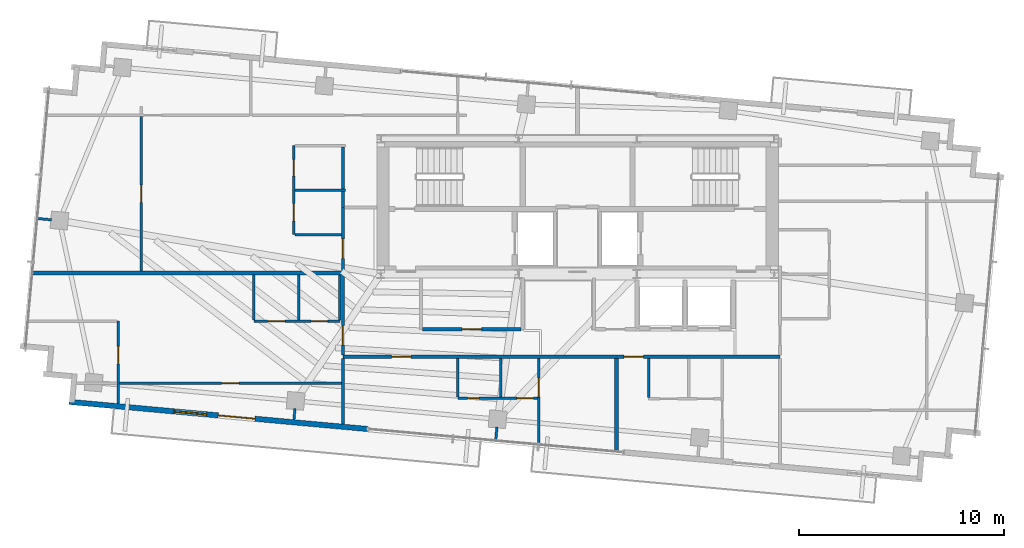
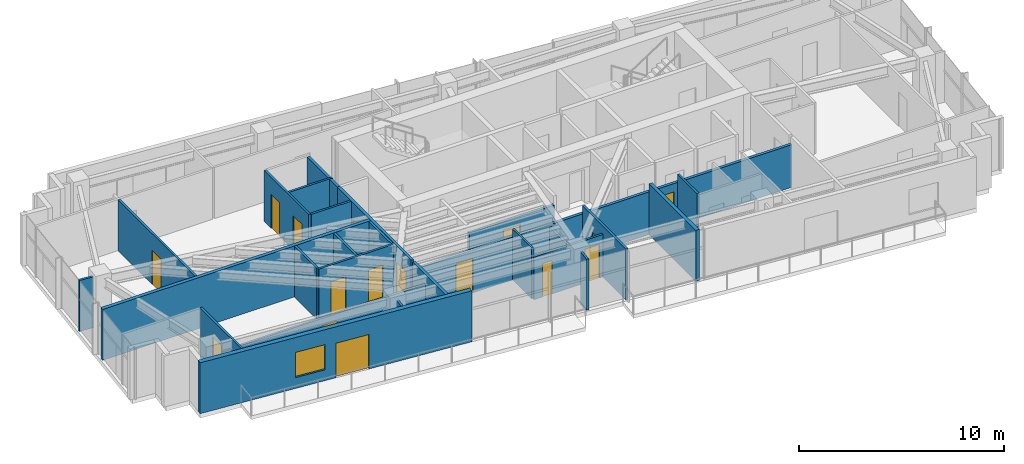
# One storey, part 16 of 22: 27 walls, 16 doors, 1 window, 17 openings.
"""IFC4 building model written with IfcOpenShell, lengths in metres."""

from ifc_helpers import new_model, si_unit, direction, frame, frame_2d, origin, place, context, subcontext, project, spatial, rectangle, extrude, source, transform, mapped, material, layer, layer_set, type_object, type_shapes, element, fill, save


model = new_model("IFC4")

# Units and contexts
model_context = context("Model", 3, precision=1e-05, world=origin(), true_north=direction((0.0, 1.0)))
body_context = subcontext(model_context, "Body", "Model", "MODEL_VIEW")
ifc_project = project(units=[si_unit("LENGTHUNIT", "METRE"), si_unit("AREAUNIT", "SQUARE_METRE"), si_unit("VOLUMEUNIT", "CUBIC_METRE"), si_unit("PLANEANGLEUNIT", "RADIAN"), si_unit("MASSUNIT", "GRAM", prefix="KILO")], contexts=[model_context])

# Site, building, storey
site_placement = place(None, origin())
site = spatial("IfcSite", under=ifc_project, at=site_placement, CompositionType="ELEMENT")
building_placement = place(site_placement, origin())
building = spatial("IfcBuilding", under=site, at=building_placement, Name="Astriad Promenade Condominiums", CompositionType="ELEMENT")
storey_placement = place(building_placement, frame((0.0, 0.0, 229.800048828125)))
storey = spatial("IfcBuildingStorey", under=building, at=storey_placement, Name="L66", CompositionType="ELEMENT", Elevation=229.800048828125)

# Wall, openings, doors
ifc_material_1 = material(Name="Fire-Rated Gypsum Partition")
ifc_layer_1 = layer(ifc_material_1, 0.159912109375)
ifc_layer_set_1 = layer_set([ifc_layer_1], Name="Fire-Rated Gypsum Partition")
wall_type_1 = type_object("IfcWallType", Name="WALL-CORR-160", PredefinedType="PARTITIONING", material=ifc_layer_set_1)
wall_1_placement = place(storey_placement, frame((24.550048828125, 13.360107421875, 0.0), z_axis=(0.0, 0.0, 1.0), x_axis=(1.0, 0.0, 0.0)))
wall_1 = element("IfcWall", 1, at=wall_1_placement, inside=storey, type_object=wall_type_1, Name="PT-COR-S-L66", PredefinedType="PARTITIONING", context=body_context, shape_type="SweptSolid", body=[
    extrude(rectangle(XDim=21.329833984375, YDim=0.159912109375, at=frame_2d((10.6650390625, 0.0))), origin(), (0.0, 0.0, 1.0), 2.5498046875),
])
opening_1_placement = place(wall_1_placement, frame((2.3701171875, 0.0, 0.0)))
opening_1 = element("IfcOpeningElement", 2, at=opening_1_placement, cuts=wall_1, Name="Opening FD60-APT-095", PredefinedType="OPENING", context=body_context, shape_type="SweptSolid", body=[
    extrude(rectangle(XDim=0.949951171875, YDim=2.06005859375, at=frame_2d((0.47509765625, 1.030029296875))), frame((0.0, 0.08984375, 0.0), z_axis=(0.0, -1.0, 0.0), x_axis=(1.0, 0.0, 0.0)), (0.0, 0.0, 1.0), 0.179931640625),
])
opening_2_placement = place(wall_1_placement, frame((13.70703125, 0.0, 0.0)))
opening_2 = element("IfcOpeningElement", 3, at=opening_2_placement, cuts=wall_1, Name="Opening FD60-APT-095", PredefinedType="OPENING", context=body_context, shape_type="SweptSolid", body=[
    extrude(rectangle(XDim=0.949951171875, YDim=2.06005859375, at=frame_2d((0.47509765625, 1.030029296875))), frame((0.0, 0.08984375, 0.0), z_axis=(0.0, -1.0, 0.0), x_axis=(1.0, 0.0, 0.0)), (0.0, 0.0, 1.0), 0.179931640625),
])
ifc_material_2 = material(Name="Solid-Core Acoustic Timber Residence Entry Door", Category="wood")
door_type_1 = type_object("IfcDoorType", Name="FD60-APT-095", OperationType="NOTDEFINED", PredefinedType="DOOR", material=ifc_material_2)
shared_shape_1 = source(origin(), body_context, "Body", "SweptSolid", [
    extrude(rectangle(XDim=0.949951171875, YDim=2.06005859375, at=frame_2d((0.47509765625, 1.030029296875))), frame((0.0, 0.02490234375, 0.0), z_axis=(0.0, -1.0, 0.0), x_axis=(1.0, 0.0, 0.0)), (0.0, 0.0, 1.0), 0.050048828125),
])
type_shapes(door_type_1, [shared_shape_1])
door_1_placement = place(opening_1_placement, origin())
door_1 = element("IfcDoor", 4, at=door_1_placement, inside=storey, type_object=door_type_1, Name="D-ENT-L66-S1", OperationType="SINGLE_SWING_LEFT", OverallHeight=2.06005859375, OverallWidth=0.949951171875, PredefinedType="DOOR", context=body_context, shape_type="MappedRepresentation", body=[
    mapped(shared_shape_1, transform((0.0, 0.0, 0.0), scale=1.0)),
])
fill(opening_1, door_1)
door_2_placement = place(opening_2_placement, origin())
door_2 = element("IfcDoor", 5, at=door_2_placement, inside=storey, type_object=door_type_1, Name="D-ENT-L66-S2", OperationType="SINGLE_SWING_LEFT", OverallHeight=2.06005859375, OverallWidth=0.949951171875, PredefinedType="DOOR", context=body_context, shape_type="MappedRepresentation", body=[
    mapped(shared_shape_1, transform((0.0, 0.0, 0.0), scale=1.0)),
])
fill(opening_2, door_2)

# Wall
wall_2_placement = place(storey_placement, frame((24.550048828125, 10.0771484375, 0.0), z_axis=(0.0, 0.0, 1.0), x_axis=(0.0, 1.0, 0.0)))
element("IfcWall", 6, at=wall_2_placement, inside=storey, type_object=wall_type_1, Name="PT-COR-W-L66", PredefinedType="PARTITIONING", context=body_context, shape_type="SweptSolid", body=[
    extrude(rectangle(XDim=3.200927734375, YDim=0.159912109375, at=frame_2d((1.6005859375, 0.0))), origin(), (0.0, 0.0, 1.0), 3.0400390625),
])

# Wall, openings, doors
wall_3_placement = place(storey_placement, frame((24.550048828125, 13.44189453125, 0.0), z_axis=(0.0, 0.0, 1.0), x_axis=(0.0, 1.0, 0.0)))
wall_3 = element("IfcWall", 7, at=wall_3_placement, inside=storey, type_object=wall_type_1, Name="PT-COR-W-L66-S2", PredefinedType="PARTITIONING", context=body_context, shape_type="SweptSolid", body=[
    extrude(rectangle(XDim=7.2080078125, YDim=0.159912109375, at=frame_2d((3.60400390625, 0.0))), origin(), (0.0, 0.0, 1.0), 3.0400390625),
])
opening_3_placement = place(wall_3_placement, frame((0.492919921875, 0.0, 0.0)))
opening_3 = element("IfcOpeningElement", 8, at=opening_3_placement, cuts=wall_3, Name="Opening FD60-APT-095", PredefinedType="OPENING", context=body_context, shape_type="SweptSolid", body=[
    extrude(rectangle(XDim=0.949951171875, YDim=2.06005859375, at=frame_2d((0.47509765625, 1.030029296875))), frame((0.0, 0.08984375, 0.0), z_axis=(0.0, -1.0, 0.0), x_axis=(1.0, 0.0, 0.0)), (0.0, 0.0, 1.0), 0.179931640625),
])
opening_4_placement = place(wall_3_placement, frame((4.720947265625, 0.0, 0.0)))
opening_4 = element("IfcOpeningElement", 9, at=opening_4_placement, cuts=wall_3, Name="Opening FD60-APT-095", PredefinedType="OPENING", context=body_context, shape_type="SweptSolid", body=[
    extrude(rectangle(XDim=0.949951171875, YDim=2.06005859375, at=frame_2d((0.47509765625, 1.030029296875))), frame((0.0, 0.08984375, 0.0), z_axis=(0.0, -1.0, 0.0), x_axis=(1.0, 0.0, 0.0)), (0.0, 0.0, 1.0), 0.179931640625),
])
door_3_placement = place(opening_3_placement, origin())
door_3 = element("IfcDoor", 10, at=door_3_placement, inside=storey, type_object=door_type_1, Name="D-ENT-L66-W1", OperationType="SINGLE_SWING_LEFT", OverallHeight=2.06005859375, OverallWidth=0.949951171875, PredefinedType="DOOR", context=body_context, shape_type="MappedRepresentation", body=[
    mapped(shared_shape_1, transform((0.0, 0.0, 0.0), scale=1.0)),
])
fill(opening_3, door_3)
door_4_placement = place(opening_4_placement, origin())
door_4 = element("IfcDoor", 11, at=door_4_placement, inside=storey, type_object=door_type_1, Name="D-ENT-L66-W2", OperationType="SINGLE_SWING_RIGHT", OverallHeight=2.06005859375, OverallWidth=0.949951171875, PredefinedType="DOOR", context=body_context, shape_type="MappedRepresentation", body=[
    mapped(shared_shape_1, transform((0.0, 0.0, 0.0), scale=1.0)),
])
fill(opening_4, door_4)

# Walls
wall_4_placement = place(storey_placement, frame((24.550048828125, 20.64990234375, 0.0), z_axis=(0.0, 0.0, 1.0), x_axis=(0.0, 1.0, 0.0)))
element("IfcWall", 12, at=wall_4_placement, inside=storey, type_object=wall_type_1, Name="PT-L66-W2-PBK", PredefinedType="PARTITIONING", context=body_context, shape_type="SweptSolid", body=[
    extrude(rectangle(XDim=0.783203125, YDim=0.159912109375, at=frame_2d((0.3916015625, 0.0))), origin(), (0.0, 0.0, 1.0), 3.0400390625),
])
wall_5_placement = place(storey_placement, frame((24.550048828125, 21.556884765625, 0.0), z_axis=(0.0, 0.0, 1.0), x_axis=(0.0, 1.0, 0.0)))
element("IfcWall", 13, at=wall_5_placement, inside=storey, type_object=wall_type_1, Name="PT-L66-W2-PBK-S2", PredefinedType="PARTITIONING", context=body_context, shape_type="SweptSolid", body=[
    extrude(rectangle(XDim=2.051025390625, YDim=0.159912109375, at=frame_2d((1.025390625, 0.0))), origin(), (0.0, 0.0, 1.0), 3.0400390625),
])

# Wall, opening, door
wall_6_placement = place(storey_placement, frame((28.44189453125, 14.699951171875, 0.0), z_axis=(0.0, 0.0, 1.0), x_axis=(1.0, 0.0, 0.0)))
wall_6 = element("IfcWall", 14, at=wall_6_placement, inside=storey, type_object=wall_type_1, Name="PT-Z3REC-S-L66", PredefinedType="PARTITIONING", context=body_context, shape_type="SweptSolid", body=[
    extrude(rectangle(XDim=4.796142578125, YDim=0.159912109375, at=frame_2d((2.39794921875, 0.0))), origin(), (0.0, 0.0, 1.0), 2.5498046875),
])
opening_5_placement = place(wall_6_placement, frame((1.923095703125, 0.0, 0.0)))
opening_5 = element("IfcOpeningElement", 15, at=opening_5_placement, cuts=wall_6, Name="Opening FD60-APT-095", PredefinedType="OPENING", context=body_context, shape_type="SweptSolid", body=[
    extrude(rectangle(XDim=0.949951171875, YDim=2.06005859375, at=frame_2d((0.47509765625, 1.030029296875))), frame((0.0, 0.08984375, 0.0), z_axis=(0.0, -1.0, 0.0), x_axis=(1.0, 0.0, 0.0)), (0.0, 0.0, 1.0), 0.179931640625),
])
door_5_placement = place(opening_5_placement, origin())
door_5 = element("IfcDoor", 16, at=door_5_placement, inside=storey, type_object=door_type_1, Name="D-Z3R-L66", OperationType="SINGLE_SWING_RIGHT", OverallHeight=2.06005859375, OverallWidth=0.949951171875, PredefinedType="DOOR", context=body_context, shape_type="MappedRepresentation", body=[
    mapped(shared_shape_1, transform((0.0, 0.0, 0.0), scale=1.0)),
])
fill(opening_5, door_5)

# Walls
ifc_material_3 = material(Name="Acoustic Double-Stud Gypsum Partition")
ifc_layer_2 = layer(ifc_material_3, 0.199951171875)
ifc_layer_set_2 = layer_set([ifc_layer_2], Name="Acoustic Double-Stud Gypsum Partition")
wall_type_2 = type_object("IfcWallType", Name="WALL-DEMISING-200", PredefinedType="PARTITIONING", material=ifc_layer_set_2)
wall_7_placement = place(storey_placement, frame((37.89501953125, 8.6796875, 0.0), z_axis=(0.0, 0.0, 1.0), x_axis=(0.0, 1.0, 0.0)))
element("IfcWall", 17, at=wall_7_placement, inside=storey, type_object=wall_type_2, Name="PT-DEM-S1-L66", PredefinedType="PARTITIONING", context=body_context, shape_type="SweptSolid", body=[
    extrude(rectangle(XDim=4.598388671875, YDim=0.199951171875, at=frame_2d((2.29931640625, 0.0))), origin(), (0.0, 0.0, 1.0), 3.0400390625),
])
wall_8_placement = place(storey_placement, frame((9.33349609375, 17.449951171875, 0.0), z_axis=(0.0, 0.0, 1.0), x_axis=(1.0, 0.0, 0.0)))
element("IfcWall", 18, at=wall_8_placement, inside=storey, type_object=wall_type_2, Name="PT-DEM-WW-L66", PredefinedType="PARTITIONING", context=body_context, shape_type="SweptSolid", body=[
    extrude(rectangle(XDim=15.134521484375, YDim=0.199951171875, at=frame_2d((7.5673828125, 0.0))), origin(), (0.0, 0.0, 1.0), 3.0400390625),
])

# Wall, openings, door, window
ifc_material_4 = material(Name="Precast concrete C50/60", Category="concrete")
ifc_layer_3 = layer(ifc_material_4, 0.260009765625)
ifc_layer_set_3 = layer_set([ifc_layer_3], Name="Precast concrete C50/60")
wall_type_3 = type_object("IfcWallType", Name="WALL-EXT-TWR-260", PredefinedType="STANDARD", material=ifc_layer_set_3)
wall_9_placement = place(storey_placement, frame((25.760986328125, 9.83447265625, 0.0), z_axis=(0.0, 0.0, 1.0), x_axis=(-0.995884584572, 0.090630536861, 0.0)))
wall_9 = element("IfcWall", 19, at=wall_9_placement, inside=storey, type_object=wall_type_3, Name="W-EXT-L66-S2", PredefinedType="STANDARD", context=body_context, shape_type="SweptSolid", body=[
    extrude(rectangle(XDim=14.630126953125, YDim=0.260009765625, at=frame_2d((7.31494140625, 0.0))), origin(), (0.0, 0.0, 1.0), 3.0400390625),
])
opening_6_placement = place(wall_9_placement, frame((5.530029296875, 0.0, 0.0)))
opening_6 = element("IfcOpeningElement", 20, at=opening_6_placement, cuts=wall_9, Name="Opening BD-1822-SLD", PredefinedType="OPENING", context=body_context, shape_type="SweptSolid", body=[
    extrude(rectangle(XDim=1.800048828125, YDim=2.06005859375, at=frame_2d((0.89990234375, 1.030029296875))), frame((0.0, 0.139892578125, 0.0), z_axis=(0.0, -1.0, 0.0), x_axis=(1.0, 0.0, 0.0)), (0.0, 0.0, 1.0), 0.280029296875),
])
opening_7_placement = place(wall_9_placement, frame((7.89990234375, 0.0, 0.64990234375)))
opening_7 = element("IfcOpeningElement", 21, at=opening_7_placement, cuts=wall_9, Name="Opening WIN-TWR-1620", PredefinedType="OPENING", context=body_context, shape_type="SweptSolid", body=[
    extrude(rectangle(XDim=1.60009765625, YDim=1.5, at=frame_2d((0.800048828125, 0.75))), frame((0.0, 0.139892578125, 0.0), z_axis=(0.0, -1.0, 0.0), x_axis=(1.0, 0.0, 0.0)), (0.0, 0.0, 1.0), 0.280029296875),
])
ifc_material_5 = material(Name="Thermally Broken Aluminium Sliding Balcony Door", Category="aluminium")
door_type_2 = type_object("IfcDoorType", Name="BD-1822-SLD", OperationType="NOTDEFINED", PredefinedType="DOOR", material=ifc_material_5)
shared_shape_2 = source(origin(), body_context, "Body", "SweptSolid", [
    extrude(rectangle(XDim=1.800048828125, YDim=2.06005859375, at=frame_2d((0.89990234375, 1.030029296875))), frame((0.0, 0.02490234375, 0.0), z_axis=(0.0, -1.0, 0.0), x_axis=(1.0, 0.0, 0.0)), (0.0, 0.0, 1.0), 0.050048828125),
])
type_shapes(door_type_2, [shared_shape_2])
door_6_placement = place(opening_6_placement, origin())
door_6 = element("IfcDoor", 22, at=door_6_placement, inside=storey, type_object=door_type_2, Name="BD-L66-SW", OperationType="SLIDING_TO_LEFT", OverallHeight=2.06005859375, OverallWidth=1.800048828125, PredefinedType="DOOR", context=body_context, shape_type="MappedRepresentation", body=[
    mapped(shared_shape_2, transform((0.0, 0.0, 0.0), scale=1.0)),
])
fill(opening_6, door_6)
ifc_material_6 = material(Name="Dark Tinted Triple-Glazed Aluminium Window", Category="aluminium")
window_type = type_object("IfcWindowType", Name="WIN-TWR-1620", PartitioningType="SINGLE_PANEL", PredefinedType="WINDOW", material=ifc_material_6)
shared_shape_3 = source(origin(), body_context, "Body", "SweptSolid", [
    extrude(rectangle(XDim=1.60009765625, YDim=1.5, at=frame_2d((0.800048828125, 0.75))), frame((0.0, 0.030029296875, 0.0), z_axis=(0.0, -1.0, 0.0), x_axis=(1.0, 0.0, 0.0)), (0.0, 0.0, 1.0), 0.06005859375),
])
type_shapes(window_type, [shared_shape_3])
window_placement = place(opening_7_placement, origin())
window = element("IfcWindow", 23, at=window_placement, inside=storey, type_object=window_type, Name="WIN-L66-SW", OverallHeight=1.5, OverallWidth=1.60009765625, PartitioningType="SINGLE_PANEL", PredefinedType="WINDOW", context=body_context, shape_type="MappedRepresentation", body=[
    mapped(shared_shape_3, transform((0.0, 0.0, 0.0), scale=1.0)),
])
fill(opening_7, window)

# Wall, opening, door
ifc_material_7 = material(Name="Acoustic Metal-Stud Gypsum Partition")
ifc_layer_4 = layer(ifc_material_7, 0.1201171875)
ifc_layer_set_4 = layer_set([ifc_layer_4], Name="Acoustic Metal-Stud Gypsum Partition")
wall_type_4 = type_object("IfcWallType", Name="WALL-PART-120", PredefinedType="PARTITIONING", material=ifc_layer_set_4)
wall_10_placement = place(storey_placement, frame((34.10888671875, 9.0244140625, 0.0), z_axis=(0.0, 0.0, 1.0), x_axis=(0.0, 1.0, 0.0)))
wall_10 = element("IfcWall", 24, at=wall_10_placement, inside=storey, type_object=wall_type_4, Name="PT-L66-S1-BD1", PredefinedType="PARTITIONING", context=body_context, shape_type="SweptSolid", body=[
    extrude(rectangle(XDim=4.253662109375, YDim=0.1201171875, at=frame_2d((2.126953125, 0.0))), origin(), (0.0, 0.0, 1.0), 3.0400390625),
])
opening_8_placement = place(wall_10_placement, frame((2.39453125, 0.0, 0.0)))
opening_8 = element("IfcOpeningElement", 25, at=opening_8_placement, cuts=wall_10, Name="Opening D-INT-090", PredefinedType="OPENING", context=body_context, shape_type="SweptSolid", body=[
    extrude(rectangle(XDim=0.89990234375, YDim=2.050048828125, at=frame_2d((0.449951171875, 1.02490234375))), frame((0.0, 0.070068359375, 0.0), z_axis=(0.0, -1.0, 0.0), x_axis=(1.0, 0.0, 0.0)), (0.0, 0.0, 1.0), 0.14013671875),
])
ifc_material_8 = material(Name="Painted Solid-Core Timber Bedroom Door", Category="wood")
door_type_3 = type_object("IfcDoorType", Name="D-INT-090", OperationType="NOTDEFINED", PredefinedType="DOOR", material=ifc_material_8)
shared_shape_4 = source(origin(), body_context, "Body", "SweptSolid", [
    extrude(rectangle(XDim=0.89990234375, YDim=2.050048828125, at=frame_2d((0.449951171875, 1.02490234375))), frame((0.0, 0.02490234375, 0.0), z_axis=(0.0, -1.0, 0.0), x_axis=(1.0, 0.0, 0.0)), (0.0, 0.0, 1.0), 0.050048828125),
])
type_shapes(door_type_3, [shared_shape_4])
door_7_placement = place(opening_8_placement, origin())
door_7 = element("IfcDoor", 26, at=door_7_placement, inside=storey, type_object=door_type_3, Name="D-BD1-L66-S1", OperationType="SINGLE_SWING_RIGHT", OverallHeight=2.050048828125, OverallWidth=0.89990234375, PredefinedType="DOOR", context=body_context, shape_type="MappedRepresentation", body=[
    mapped(shared_shape_4, transform((0.0, 0.0, 0.0), scale=1.0)),
])
fill(opening_8, door_7)

# Wall, openings, doors
wall_11_placement = place(storey_placement, frame((30.158935546875, 11.3310546875, 0.0), z_axis=(0.0, 0.0, 1.0), x_axis=(1.0, 0.0, 0.0)))
wall_11 = element("IfcWall", 27, at=wall_11_placement, inside=storey, type_object=wall_type_4, Name="PT-L66-S1-PS", PredefinedType="PARTITIONING", context=body_context, shape_type="SweptSolid", body=[
    extrude(rectangle(XDim=3.88818359375, YDim=0.1201171875, at=frame_2d((1.944091796875, 0.0))), origin(), (0.0, 0.0, 1.0), 2.5498046875),
])
opening_9_placement = place(wall_11_placement, frame((0.47509765625, 0.0, 0.0)))
opening_9 = element("IfcOpeningElement", 28, at=opening_9_placement, cuts=wall_11, Name="Opening D-AC-055", PredefinedType="OPENING", context=body_context, shape_type="SweptSolid", body=[
    extrude(rectangle(XDim=0.550048828125, YDim=2.0, at=frame_2d((0.27490234375, 1.0))), frame((0.0, 0.070068359375, 0.0), z_axis=(0.0, -1.0, 0.0), x_axis=(1.0, 0.0, 0.0)), (0.0, 0.0, 1.0), 0.14013671875),
])
opening_10_placement = place(wall_11_placement, frame((2.885009765625, 0.0, 0.0)))
opening_10 = element("IfcOpeningElement", 29, at=opening_10_placement, cuts=wall_11, Name="Opening D-WET-080", PredefinedType="OPENING", context=body_context, shape_type="SweptSolid", body=[
    extrude(rectangle(XDim=0.800048828125, YDim=2.02001953125, at=frame_2d((0.39990234375, 1.010009765625))), frame((0.0, 0.070068359375, 0.0), z_axis=(0.0, -1.0, 0.0), x_axis=(1.0, 0.0, 0.0)), (0.0, 0.0, 1.0), 0.14013671875),
])
ifc_material_9 = material(Name="Moisture-Resistant Timber Bathroom Door", Category="wood")
door_type_4 = type_object("IfcDoorType", Name="D-WET-080", OperationType="NOTDEFINED", PredefinedType="DOOR", material=ifc_material_9)
shared_shape_5 = source(origin(), body_context, "Body", "SweptSolid", [
    extrude(rectangle(XDim=0.800048828125, YDim=2.02001953125, at=frame_2d((0.39990234375, 1.010009765625))), frame((0.0, 0.02490234375, 0.0), z_axis=(0.0, -1.0, 0.0), x_axis=(1.0, 0.0, 0.0)), (0.0, 0.0, 1.0), 0.050048828125),
])
type_shapes(door_type_4, [shared_shape_5])
door_8_placement = place(opening_10_placement, origin())
door_8 = element("IfcDoor", 30, at=door_8_placement, inside=storey, type_object=door_type_4, Name="D-BTH-L66-S1", OperationType="SINGLE_SWING_RIGHT", OverallHeight=2.02001953125, OverallWidth=0.800048828125, PredefinedType="DOOR", context=body_context, shape_type="MappedRepresentation", body=[
    mapped(shared_shape_5, transform((0.0, 0.0, 0.0), scale=1.0)),
])
fill(opening_10, door_8)
ifc_material_10 = material(Name="Painted Timber Access Door", Category="wood")
door_type_5 = type_object("IfcDoorType", Name="D-AC-055", OperationType="NOTDEFINED", PredefinedType="DOOR", material=ifc_material_10)
shared_shape_6 = source(origin(), body_context, "Body", "SweptSolid", [
    extrude(rectangle(XDim=0.550048828125, YDim=2.0, at=frame_2d((0.27490234375, 1.0))), frame((0.0, 0.02490234375, 0.0), z_axis=(0.0, -1.0, 0.0), x_axis=(1.0, 0.0, 0.0)), (0.0, 0.0, 1.0), 0.050048828125),
])
type_shapes(door_type_5, [shared_shape_6])
door_9_placement = place(opening_9_placement, origin())
door_9 = element("IfcDoor", 31, at=door_9_placement, inside=storey, type_object=door_type_5, Name="D-KIT-L66-S1", OperationType="SINGLE_SWING_LEFT", OverallHeight=2.0, OverallWidth=0.550048828125, PredefinedType="DOOR", context=body_context, shape_type="MappedRepresentation", body=[
    mapped(shared_shape_6, transform((0.0, 0.0, 0.0), scale=1.0)),
])
fill(opening_9, door_9)

# Walls
wall_12_placement = place(storey_placement, frame((32.259033203125, 11.39306640625, 0.0), z_axis=(0.0, 0.0, 1.0), x_axis=(0.0, 1.0, 0.0)))
element("IfcWall", 32, at=wall_12_placement, inside=storey, type_object=wall_type_4, Name="PT-L66-S1-PBK", PredefinedType="PARTITIONING", context=body_context, shape_type="SweptSolid", body=[
    extrude(rectangle(XDim=1.885009765625, YDim=0.1201171875, at=frame_2d((0.9423828125, 0.0))), origin(), (0.0, 0.0, 1.0), 2.400146484375),
])
wall_13_placement = place(storey_placement, frame((30.158935546875, 11.39306640625, 0.0), z_axis=(0.0, 0.0, 1.0), x_axis=(0.0, 1.0, 0.0)))
element("IfcWall", 33, at=wall_13_placement, inside=storey, type_object=wall_type_4, Name="PT-L66-S1-PKW", PredefinedType="PARTITIONING", context=body_context, shape_type="SweptSolid", body=[
    extrude(rectangle(XDim=1.885009765625, YDim=0.1201171875, at=frame_2d((0.9423828125, 0.0))), origin(), (0.0, 0.0, 1.0), 3.0400390625),
])
wall_14_placement = place(storey_placement, frame((39.468017578125, 11.3720703125, 0.0), z_axis=(0.0, 0.0, 1.0), x_axis=(0.0, 1.0, 0.0)))
element("IfcWall", 34, at=wall_14_placement, inside=storey, type_object=wall_type_4, Name="PT-L66-S2-PK", PredefinedType="PARTITIONING", context=body_context, shape_type="SweptSolid", body=[
    extrude(rectangle(XDim=1.906005859375, YDim=0.1201171875, at=frame_2d((0.953125, 0.0))), origin(), (0.0, 0.0, 1.0), 3.0400390625),
])

# Wall, openings, doors
wall_15_placement = place(storey_placement, frame((20.199951171875, 15.10009765625, 0.0), z_axis=(0.0, 0.0, 1.0), x_axis=(1.0, 0.0, 0.0)))
wall_15 = element("IfcWall", 35, at=wall_15_placement, inside=storey, type_object=wall_type_4, Name="PT-L66-W1-PH", PredefinedType="PARTITIONING", context=body_context, shape_type="SweptSolid", body=[
    extrude(rectangle(XDim=4.199951171875, YDim=0.1201171875, at=frame_2d((2.10009765625, 0.0))), origin(), (0.0, 0.0, 1.0), 3.0400390625),
])
opening_11_placement = place(wall_15_placement, frame((0.675048828125, 0.0, 0.0)))
opening_11 = element("IfcOpeningElement", 36, at=opening_11_placement, cuts=wall_15, Name="Opening D-INT-085", PredefinedType="OPENING", context=body_context, shape_type="SweptSolid", body=[
    extrude(rectangle(XDim=0.85009765625, YDim=2.050048828125, at=frame_2d((0.425048828125, 1.02490234375))), frame((0.0, 0.070068359375, 0.0), z_axis=(0.0, -1.0, 0.0), x_axis=(1.0, 0.0, 0.0)), (0.0, 0.0, 1.0), 0.14013671875),
])
opening_12_placement = place(wall_15_placement, frame((2.800048828125, 0.0, 0.0)))
opening_12 = element("IfcOpeningElement", 37, at=opening_12_placement, cuts=wall_15, Name="Opening D-WET-080", PredefinedType="OPENING", context=body_context, shape_type="SweptSolid", body=[
    extrude(rectangle(XDim=0.800048828125, YDim=2.02001953125, at=frame_2d((0.39990234375, 1.010009765625))), frame((0.0, 0.070068359375, 0.0), z_axis=(0.0, -1.0, 0.0), x_axis=(1.0, 0.0, 0.0)), (0.0, 0.0, 1.0), 0.14013671875),
])
door_10_placement = place(opening_12_placement, origin())
door_10 = element("IfcDoor", 38, at=door_10_placement, inside=storey, type_object=door_type_4, Name="D-BTH-L66-W1", OperationType="SINGLE_SWING_LEFT", OverallHeight=2.02001953125, OverallWidth=0.800048828125, PredefinedType="DOOR", context=body_context, shape_type="MappedRepresentation", body=[
    mapped(shared_shape_5, transform((0.0, 0.0, 0.0), scale=1.0)),
])
fill(opening_12, door_10)
ifc_material_11 = material(Name="Painted Solid-Core Timber Room Door", Category="wood")
door_type_6 = type_object("IfcDoorType", Name="D-INT-085", OperationType="NOTDEFINED", PredefinedType="DOOR", material=ifc_material_11)
shared_shape_7 = source(origin(), body_context, "Body", "SweptSolid", [
    extrude(rectangle(XDim=0.85009765625, YDim=2.050048828125, at=frame_2d((0.425048828125, 1.02490234375))), frame((0.0, 0.02490234375, 0.0), z_axis=(0.0, -1.0, 0.0), x_axis=(1.0, 0.0, 0.0)), (0.0, 0.0, 1.0), 0.050048828125),
])
type_shapes(door_type_6, [shared_shape_7])
door_11_placement = place(opening_11_placement, origin())
door_11 = element("IfcDoor", 39, at=door_11_placement, inside=storey, type_object=door_type_6, Name="D-KIT-L66-W1", OperationType="SINGLE_SWING_RIGHT", OverallHeight=2.050048828125, OverallWidth=0.85009765625, PredefinedType="DOOR", context=body_context, shape_type="MappedRepresentation", body=[
    mapped(shared_shape_7, transform((0.0, 0.0, 0.0), scale=1.0)),
])
fill(opening_11, door_11)

# Walls
for number, where, z_axis, x_axis, name in (
    (40, (20.199951171875, 15.162109375, 0.0), (0.0, 0.0, 1.0), (0.0, 1.0, 0.0), "PT-L66-W1-PK1"),
    (41, (22.39990234375, 15.162109375, 0.0), (0.0, 0.0, 1.0), (0.0, 1.0, 0.0), "PT-L66-W1-PK2"),
    (42, (24.39990234375, 15.162109375, 0.0), (0.0, 0.0, 1.0), (0.0, 1.0, 0.0), "PT-L66-W1-PK3"),
):
    element("IfcWall", number, at=place(storey_placement, frame(where, z_axis=z_axis, x_axis=x_axis)), inside=storey, type_object=wall_type_4, Name=name, PredefinedType="PARTITIONING", context=body_context, shape_type="SweptSolid", body=[
        extrude(rectangle(XDim=2.185791015625, YDim=0.1201171875, at=frame_2d((1.0927734375, 0.0))), origin(), (0.0, 0.0, 1.0), 3.0400390625),
    ])

# Wall, opening, door
wall_16_placement = place(storey_placement, frame((13.5810546875, 11.075439453125, 0.0), z_axis=(0.0, 0.0, 1.0), x_axis=(0.0, 1.0, 0.0)))
wall_16 = element("IfcWall", 43, at=wall_16_placement, inside=storey, type_object=wall_type_4, Name="PT-L66-W1-CAP1", PredefinedType="PARTITIONING", context=body_context, shape_type="SweptSolid", body=[
    extrude(rectangle(XDim=4.024658203125, YDim=0.1201171875, at=frame_2d((2.01220703125, 0.0))), origin(), (0.0, 0.0, 1.0), 3.0400390625),
])
opening_13_placement = place(wall_16_placement, frame((1.938720703125, 0.0, 0.0)))
opening_13 = element("IfcOpeningElement", 44, at=opening_13_placement, cuts=wall_16, Name="Opening D-INT-085", PredefinedType="OPENING", context=body_context, shape_type="SweptSolid", body=[
    extrude(rectangle(XDim=0.85009765625, YDim=2.050048828125, at=frame_2d((0.425048828125, 1.02490234375))), frame((0.0, 0.070068359375, 0.0), z_axis=(0.0, -1.0, 0.0), x_axis=(1.0, 0.0, 0.0)), (0.0, 0.0, 1.0), 0.14013671875),
])
door_12_placement = place(opening_13_placement, origin())
door_12 = element("IfcDoor", 45, at=door_12_placement, inside=storey, type_object=door_type_6, Name="D-CAP1-L66-W1", OperationType="SINGLE_SWING_RIGHT", OverallHeight=2.050048828125, OverallWidth=0.85009765625, PredefinedType="DOOR", context=body_context, shape_type="MappedRepresentation", body=[
    mapped(shared_shape_7, transform((0.0, 0.0, 0.0), scale=1.0)),
])
fill(opening_13, door_12)

wall_17_placement = place(storey_placement, frame((13.64306640625, 12.072998046875, 0.0), z_axis=(0.0, 0.0, 1.0), x_axis=(1.0, 0.0, 0.0)))
wall_17 = element("IfcWall", 46, at=wall_17_placement, inside=storey, type_object=wall_type_4, Name="PT-L66-W1-CAPH2-S2", PredefinedType="PARTITIONING", context=body_context, shape_type="SweptSolid", body=[
    extrude(rectangle(XDim=10.824951171875, YDim=0.1201171875, at=frame_2d((5.41259765625, 0.0))), origin(), (0.0, 0.0, 1.0), 2.482421875),
])
opening_14_placement = place(wall_17_placement, frame((4.988037109375, 0.0, 0.0)))
opening_14 = element("IfcOpeningElement", 47, at=opening_14_placement, cuts=wall_17, Name="Opening D-INT-085", PredefinedType="OPENING", context=body_context, shape_type="SweptSolid", body=[
    extrude(rectangle(XDim=0.85009765625, YDim=2.050048828125, at=frame_2d((0.425048828125, 1.02490234375))), frame((0.0, 0.070068359375, 0.0), z_axis=(0.0, -1.0, 0.0), x_axis=(1.0, 0.0, 0.0)), (0.0, 0.0, 1.0), 0.14013671875),
])
door_13_placement = place(opening_14_placement, origin())
door_13 = element("IfcDoor", 48, at=door_13_placement, inside=storey, type_object=door_type_6, Name="D-CAPH2-L66-W1", OperationType="SINGLE_SWING_LEFT", OverallHeight=2.050048828125, OverallWidth=0.85009765625, PredefinedType="DOOR", context=body_context, shape_type="MappedRepresentation", body=[
    mapped(shared_shape_7, transform((0.0, 0.0, 0.0), scale=1.0)),
])
fill(opening_14, door_13)

# Wall, openings, doors
wall_18_placement = place(storey_placement, frame((22.14990234375, 19.320068359375, 0.0), z_axis=(0.0, 0.0, 1.0), x_axis=(0.0, 1.0, 0.0)))
wall_18 = element("IfcWall", 49, at=wall_18_placement, inside=storey, type_object=wall_type_4, Name="PT-L66-W2-PV", PredefinedType="PARTITIONING", context=body_context, shape_type="SweptSolid", body=[
    extrude(rectangle(XDim=4.349853515625, YDim=0.1201171875, at=frame_2d((2.1748046875, 0.0))), origin(), (0.0, 0.0, 1.0), 3.0400390625),
])
opening_15_placement = place(wall_18_placement, frame((0.662109375, 0.0, 0.0)))
opening_15 = element("IfcOpeningElement", 50, at=opening_15_placement, cuts=wall_18, Name="Opening D-INT-085", PredefinedType="OPENING", context=body_context, shape_type="SweptSolid", body=[
    extrude(rectangle(XDim=0.85009765625, YDim=2.050048828125, at=frame_2d((0.425048828125, 1.02490234375))), frame((0.0, 0.070068359375, 0.0), z_axis=(0.0, -1.0, 0.0), x_axis=(1.0, 0.0, 0.0)), (0.0, 0.0, 1.0), 0.14013671875),
])
opening_16_placement = place(wall_18_placement, frame((2.863037109375, 0.0, 0.0)))
opening_16 = element("IfcOpeningElement", 51, at=opening_16_placement, cuts=wall_18, Name="Opening D-WET-080", PredefinedType="OPENING", context=body_context, shape_type="SweptSolid", body=[
    extrude(rectangle(XDim=0.800048828125, YDim=2.02001953125, at=frame_2d((0.39990234375, 1.010009765625))), frame((0.0, 0.070068359375, 0.0), z_axis=(0.0, -1.0, 0.0), x_axis=(1.0, 0.0, 0.0)), (0.0, 0.0, 1.0), 0.14013671875),
])
door_14_placement = place(opening_16_placement, origin())
door_14 = element("IfcDoor", 52, at=door_14_placement, inside=storey, type_object=door_type_4, Name="D-BTH-L66-W2", OperationType="SINGLE_SWING_RIGHT", OverallHeight=2.02001953125, OverallWidth=0.800048828125, PredefinedType="DOOR", context=body_context, shape_type="MappedRepresentation", body=[
    mapped(shared_shape_5, transform((0.0, 0.0, 0.0), scale=1.0)),
])
fill(opening_16, door_14)
door_15_placement = place(opening_15_placement, origin())
door_15 = element("IfcDoor", 53, at=door_15_placement, inside=storey, type_object=door_type_6, Name="D-KIT-L66-W2", OperationType="SINGLE_SWING_LEFT", OverallHeight=2.050048828125, OverallWidth=0.85009765625, PredefinedType="DOOR", context=body_context, shape_type="MappedRepresentation", body=[
    mapped(shared_shape_7, transform((0.0, 0.0, 0.0), scale=1.0)),
])
fill(opening_15, door_15)

# Walls
wall_19_placement = place(storey_placement, frame((22.2119140625, 21.4951171875, 0.0), z_axis=(0.0, 0.0, 1.0), x_axis=(1.0, 0.0, 0.0)))
element("IfcWall", 54, at=wall_19_placement, inside=storey, type_object=wall_type_4, Name="PT-L66-W2-PM", PredefinedType="PARTITIONING", context=body_context, shape_type="SweptSolid", body=[
    extrude(rectangle(XDim=2.4580078125, YDim=0.1201171875, at=frame_2d((1.22900390625, 0.0))), origin(), (0.0, 0.0, 1.0), 3.0400390625),
])
wall_20_placement = place(storey_placement, frame((22.2119140625, 19.320068359375, 0.0), z_axis=(0.0, 0.0, 1.0), x_axis=(1.0, 0.0, 0.0)))
element("IfcWall", 55, at=wall_20_placement, inside=storey, type_object=wall_type_4, Name="PT-L66-W2-PS", PredefinedType="PARTITIONING", context=body_context, shape_type="SweptSolid", body=[
    extrude(rectangle(XDim=2.256103515625, YDim=0.1201171875, at=frame_2d((1.1279296875, 0.0))), origin(), (0.0, 0.0, 1.0), 3.0400390625),
])

# Wall, opening, door
wall_21_placement = place(storey_placement, frame((14.7099609375, 17.552001953125, 0.0), z_axis=(0.0, 0.0, 1.0), x_axis=(0.0, 1.0, 0.0)))
wall_21 = element("IfcWall", 56, at=wall_21_placement, inside=storey, type_object=wall_type_4, Name="PT-L66-W2-WDV1", PredefinedType="PARTITIONING", context=body_context, shape_type="SweptSolid", body=[
    extrude(rectangle(XDim=7.528076171875, YDim=0.1201171875, at=frame_2d((3.76416015625, 0.0))), origin(), (0.0, 0.0, 1.0), 3.0400390625),
])
opening_17_placement = place(wall_21_placement, frame((3.339111328125, 0.0, 0.0)))
opening_17 = element("IfcOpeningElement", 57, at=opening_17_placement, cuts=wall_21, Name="Opening D-INT-085", PredefinedType="OPENING", context=body_context, shape_type="SweptSolid", body=[
    extrude(rectangle(XDim=0.85009765625, YDim=2.050048828125, at=frame_2d((0.425048828125, 1.02490234375))), frame((0.0, 0.070068359375, 0.0), z_axis=(0.0, -1.0, 0.0), x_axis=(1.0, 0.0, 0.0)), (0.0, 0.0, 1.0), 0.14013671875),
])
door_16_placement = place(opening_17_placement, origin())
door_16 = element("IfcDoor", 58, at=door_16_placement, inside=storey, type_object=door_type_6, Name="D-WDV1-L66-W2", OperationType="SINGLE_SWING_RIGHT", OverallHeight=2.050048828125, OverallWidth=0.85009765625, PredefinedType="DOOR", context=body_context, shape_type="MappedRepresentation", body=[
    mapped(shared_shape_7, transform((0.0, 0.0, 0.0), scale=1.0)),
])
fill(opening_17, door_16)

# Walls
wall_22_placement = place(storey_placement, frame((22.206787109375, 10.83056640625, 0.0), z_axis=(0.0, 0.0, 1.0), x_axis=(-0.090781299264, -0.995870852924, 0.0)))
element("IfcWall", 59, at=wall_22_placement, inside=storey, type_object=wall_type_4, Name="PT-PIL-L66-PC02-9", PredefinedType="PARTITIONING", context=body_context, shape_type="SweptSolid", body=[
    extrude(rectangle(XDim=0.537841796875, YDim=0.1201171875, at=frame_2d((0.26904296875, 0.0))), origin(), (0.0, 0.0, 1.0), 3.0400390625),
])
wall_23_placement = place(storey_placement, frame((32.06591796875, 9.933349609375, 0.0), z_axis=(0.0, 0.0, 1.0), x_axis=(-0.090872036342, -0.995862577373, 0.0)))
element("IfcWall", 60, at=wall_23_placement, inside=storey, type_object=wall_type_4, Name="PT-PIL-L66-PC03-10", PredefinedType="PARTITIONING", context=body_context, shape_type="SweptSolid", body=[
    extrude(rectangle(XDim=0.719970703125, YDim=0.1201171875, at=frame_2d((0.35986328125, 0.0))), origin(), (0.0, 0.0, 1.0), 3.0400390625),
])
wall_24_placement = place(storey_placement, frame((10.3330078125, 20.044677734375, 0.0), z_axis=(0.0, 0.0, 1.0), x_axis=(-0.995890573658, 0.09056470228, 0.0)))
element("IfcWall", 61, at=wall_24_placement, inside=storey, type_object=wall_type_4, Name="PT-PIL-L66-PC11-18", PredefinedType="PARTITIONING", context=body_context, shape_type="SweptSolid", body=[
    extrude(rectangle(XDim=0.76025390625, YDim=0.1201171875, at=frame_2d((0.380126953125, 0.0))), origin(), (0.0, 0.0, 1.0), 3.0400390625),
])

save(model, "model.ifc")
